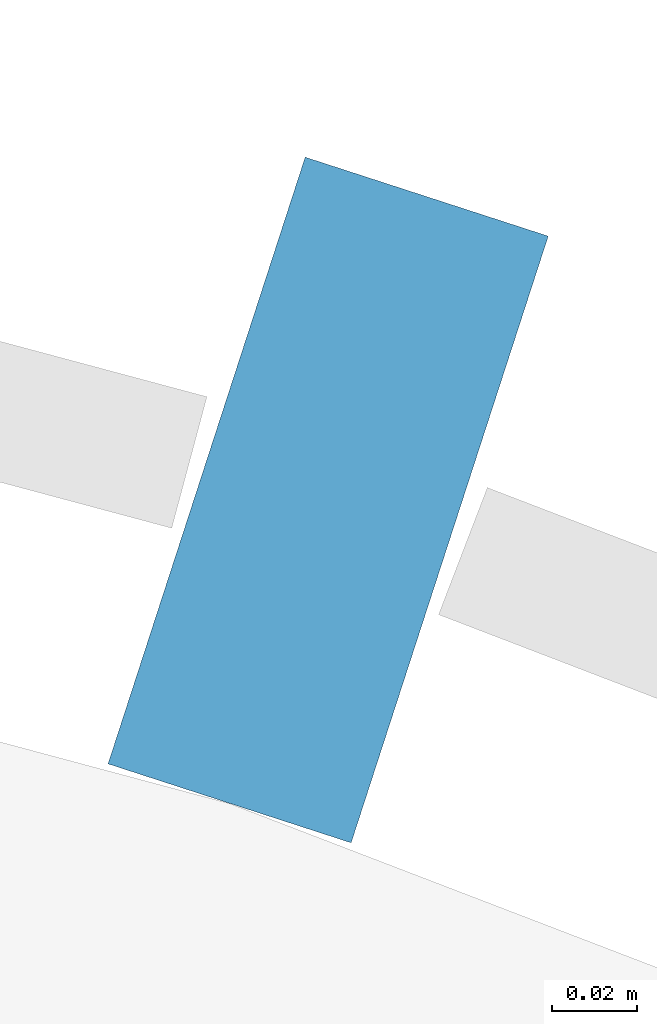
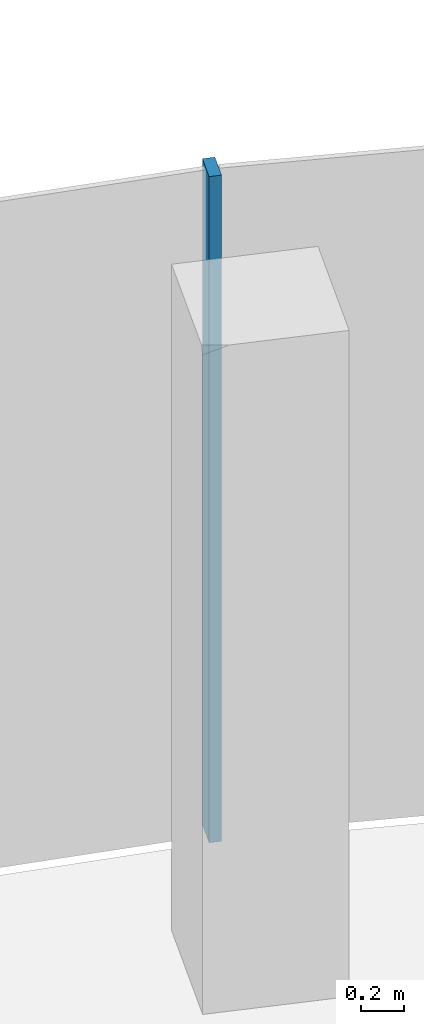
# One storey, part 10 of 18: 1 member, 1 element without a shape of its own.
"""IFC4 building model written with IfcOpenShell, lengths in metres."""

import ifcopenshell
import ifcopenshell.guid

model = None  # the IFC model being written
_history = None  # IfcOwnerHistory: only IFC2X3 demands one
_inside = {}  # id of a spatial element -> (the spatial element, [elements in it])
_under = {}  # id of a project, library or spatial element -> (it, [spatial elements below it])
_declared = {}  # id of a project -> (the project, [libraries it declares])
_typed = {}  # id of a type object -> (the type object, [elements of that type])
_made_of = {}  # id of a material, layer set ... -> (it, [elements and type objects made of it])


def new_model(schema):
    """Start an empty IFC model of exactly this schema.

    Asked for "IFC4X3", IfcOpenShell would pick the latest addendum, in which some entities
    have other attributes; the version numbers below select the first issue.
    IFC2X3 requires an IfcOwnerHistory on every rooted entity: one is made here for all.
    """
    global model, _history
    if schema == "IFC4X3":
        model = ifcopenshell.file(schema_version=(4, 3, 0, 0))
    else:
        model = ifcopenshell.file(schema=schema)
    _inside.clear()
    _under.clear()
    _declared.clear()
    _typed.clear()
    _made_of.clear()
    _history = None
    if model.schema == "IFC2X3":
        org = make("IfcOrganization", Name="unknown")
        user = make(
            "IfcPersonAndOrganization",
            ThePerson=make("IfcPerson", FamilyName="unknown"),
            TheOrganization=org,
        )
        app = make(
            "IfcApplication",
            ApplicationDeveloper=org,
            Version="unknown",
            ApplicationFullName="unknown",
            ApplicationIdentifier="unknown",
        )
        _history = make(
            "IfcOwnerHistory",
            OwningUser=user,
            OwningApplication=app,
            ChangeAction="ADDED",
            CreationDate=0,
        )
    return model


def make(cls, **values):
    """One entity of the class cls with the attributes given. An attribute that is None is left unset."""
    return model.create_entity(
        cls, **{name: value for name, value in values.items() if value is not None}
    )


def rooted(cls, **values):
    """An entity with a GlobalId (a new one), such as an element, a storey or a relation."""
    return make(cls, GlobalId=ifcopenshell.guid.new(), OwnerHistory=_history, **values)


def si_unit(unit_type, name, prefix=None):
    """IfcSIUnit, for example si_unit("LENGTHUNIT", "METRE", prefix="MILLI")."""
    return make("IfcSIUnit", UnitType=unit_type, Prefix=prefix, Name=name)


def assignment(units):
    """IfcUnitAssignment: the units of a project."""
    return None if units is None else make("IfcUnitAssignment", Units=units)


def point(xyz):
    """IfcCartesianPoint."""
    return None if xyz is None else make("IfcCartesianPoint", Coordinates=xyz)


def direction(xyz):
    """IfcDirection."""
    return None if xyz is None else make("IfcDirection", DirectionRatios=xyz)


def frame(location, z_axis=None, x_axis=None):
    """IfcAxis2Placement3D, a coordinate frame: its origin and axes. An axis left out is left unset."""
    return make(
        "IfcAxis2Placement3D",
        Location=point(location),
        Axis=direction(z_axis),
        RefDirection=direction(x_axis),
    )


def frame_2d(location, x_axis=None):
    """IfcAxis2Placement2D, a coordinate frame in the plane: its origin and x axis."""
    return make(
        "IfcAxis2Placement2D", Location=point(location), RefDirection=direction(x_axis)
    )


def origin():
    """The frame at (0, 0, 0) with its axes left unset."""
    return frame((0.0, 0.0, 0.0))


def origin_2d():
    """The frame at (0, 0) in the plane with its x axis left unset."""
    return frame_2d((0.0, 0.0))


def place(relative_to, where):
    """IfcLocalPlacement: puts the frame where relative to a parent placement (None: the world)."""
    return make(
        "IfcLocalPlacement", PlacementRelTo=relative_to, RelativePlacement=where
    )


def context(
    kind, dimensions, precision=None, world=None, true_north=None, identifier=None
):
    """IfcGeometricRepresentationContext, for example the 3D "Model" context."""
    return make(
        "IfcGeometricRepresentationContext",
        ContextIdentifier=identifier,
        ContextType=kind,
        CoordinateSpaceDimension=dimensions,
        Precision=precision,
        WorldCoordinateSystem=world,
        TrueNorth=true_north,
    )


def subcontext(parent, identifier, kind, view, scale=None):
    """IfcGeometricRepresentationSubContext, for example "Body" below "Model"."""
    return make(
        "IfcGeometricRepresentationSubContext",
        ContextIdentifier=identifier,
        ContextType=kind,
        ParentContext=parent,
        TargetScale=scale,
        TargetView=view,
    )


def project(units=None, contexts=None):
    """IfcProject with its units and contexts."""
    return rooted(
        "IfcProject",
        Name="project",
        RepresentationContexts=contexts,
        UnitsInContext=assignment(units),
    )


def spatial(cls, under=None, at=None, **own):
    """A site, building, storey or space (cls), placed at a placement, below another one or the project."""
    s = rooted(cls, ObjectPlacement=at, **own)
    if under is not None:
        _under.setdefault(under.id(), (under, []))[1].append(s)
    return s


def profile(cls, at=None, kind="AREA", **sizes):
    """A parametric profile (cls). Its sizes go by their IFC names, for example OverallWidth=200.0."""
    return make(cls, ProfileType=kind, Position=at, **sizes)


def rectangle(**sizes):
    """IfcRectangleProfileDef."""
    return profile("IfcRectangleProfileDef", **sizes)


def extrude(swept, where, along, depth):
    """IfcExtrudedAreaSolid: the profile swept, set in the frame where, extruded along a direction by depth."""
    return make(
        "IfcExtrudedAreaSolid",
        SweptArea=swept,
        Position=where,
        ExtrudedDirection=direction(along),
        Depth=depth,
    )


def shape(context_of_items, identifier, shape_type, items):
    """IfcShapeRepresentation: the items that make up one representation, for example the "Body"."""
    return make(
        "IfcShapeRepresentation",
        ContextOfItems=context_of_items,
        RepresentationIdentifier=identifier,
        RepresentationType=shape_type,
        Items=items,
    )


def material(Name=None, Category=None):
    """IfcMaterial."""
    return make("IfcMaterial", Name=Name, Category=Category)


def layer(
    of_material, thickness, ventilated=None, Name=None, Category=None, Priority=None
):
    """IfcMaterialLayer: one layer of a wall or slab, of a material (None: an air gap)."""
    return make(
        "IfcMaterialLayer",
        Material=of_material,
        LayerThickness=thickness,
        IsVentilated=ventilated,
        Name=Name,
        Category=Category,
        Priority=Priority,
    )


def layer_set(layers, Name=None):
    """IfcMaterialLayerSet."""
    return make("IfcMaterialLayerSet", MaterialLayers=layers, LayerSetName=Name)


def material_profile(
    of_material, cross_section, Name=None, Category=None, Priority=None
):
    """IfcMaterialProfile: a cross section and its material."""
    return make(
        "IfcMaterialProfile",
        Name=Name,
        Material=of_material,
        Profile=cross_section,
        Priority=Priority,
        Category=Category,
    )


def profile_set(profiles, Name=None, composite=None):
    """IfcMaterialProfileSet."""
    return make(
        "IfcMaterialProfileSet",
        Name=Name,
        MaterialProfiles=profiles,
        CompositeProfile=composite,
    )


def made_of(thing, what):
    """Note that an element or type object is made of a material, layer set ...; save() writes the relation."""
    if what is not None:
        _made_of.setdefault(what.id(), (what, []))[1].append(thing)
    return thing


def type_object(cls, material=None, **own):
    """A type object (cls), such as IfcWallType, which elements share."""
    return made_of(rooted(cls, **own), material)


def element(
    cls,
    number,
    at=None,
    inside=None,
    cuts=None,
    type_object=None,
    material=None,
    context=None,
    identifier="Body",
    shape_type=None,
    held_by="IfcProductDefinitionShape",
    body=None,
    shapes=None,
    **own,
):
    """One element of the class cls, such as IfcWall. Its Tag is "e" and its number.

    at: its placement. inside: the storey or other place that contains it. cuts: it is an
    opening in that element (IfcRelVoidsElement). A single representation is given by context,
    identifier, shape_type and body (its items); several are given by shapes. held_by: the class
    of the entity that holds the representations. save() writes the other relations.
    """
    e = rooted(cls, Tag="e%d" % number, ObjectPlacement=at, **own)
    if body is not None:
        shapes = [shape(context, identifier, shape_type, body)]
    if shapes is not None:
        e.Representation = make(held_by, Representations=shapes)
    if inside is not None:
        _inside.setdefault(inside.id(), (inside, []))[1].append(e)
    if cuts is not None:
        rooted(
            "IfcRelVoidsElement", RelatingBuildingElement=cuts, RelatedOpeningElement=e
        )
    if type_object is not None:
        _typed.setdefault(type_object.id(), (type_object, []))[1].append(e)
    return made_of(e, material)


def aggregate(whole, parts):
    """IfcRelAggregates: a whole, such as a stair, and the parts it consists of."""
    return rooted("IfcRelAggregates", RelatingObject=whole, RelatedObjects=parts)


def save(model, path):
    """Write the relations noted so far, then the file.

    IfcRelAggregates (storeys below a building ...), IfcRelContainedInSpatialStructure (elements
    in a storey), IfcRelDefinesByType, IfcRelAssociatesMaterial and IfcRelDeclares: one each for
    every whole, place, type object, material and project.
    """
    for whole, parts in _under.values():
        aggregate(whole, parts)
    for where, things in _inside.values():
        rooted(
            "IfcRelContainedInSpatialStructure",
            RelatedElements=things,
            RelatingStructure=where,
        )
    for kind, things in _typed.values():
        rooted("IfcRelDefinesByType", RelatedObjects=things, RelatingType=kind)
    for what, things in _made_of.values():
        rooted("IfcRelAssociatesMaterial", RelatedObjects=things, RelatingMaterial=what)
    for by, libraries in _declared.values():
        rooted("IfcRelDeclares", RelatingContext=by, RelatedDefinitions=libraries)
    model.write(path)


model = new_model("IFC4")

# Units and contexts
model_context = context("Model", 3, precision=1e-05, world=origin(), true_north=direction((0.0, 1.0)))
body_context = subcontext(model_context, "Body", "Model", "MODEL_VIEW")
ifc_project = project(units=[si_unit("LENGTHUNIT", "METRE"), si_unit("AREAUNIT", "SQUARE_METRE"), si_unit("VOLUMEUNIT", "CUBIC_METRE"), si_unit("PLANEANGLEUNIT", "RADIAN"), si_unit("MASSUNIT", "GRAM", prefix="KILO")], contexts=[model_context])

# Site, building, storey
site_placement = place(None, origin())
site = spatial("IfcSite", under=ifc_project, at=site_placement, CompositionType="ELEMENT")
building_placement = place(site_placement, origin())
building = spatial("IfcBuilding", under=site, at=building_placement, Name="Stone Belt Terrace Tower", CompositionType="ELEMENT")
storey_placement = place(building_placement, frame((0.0, 0.0, 288.39990234375)))
storey = spatial("IfcBuildingStorey", under=building, at=storey_placement, Name="L70", CompositionType="ELEMENT", Elevation=288.39990234375)

# Curtain wall, member
ifc_material = material(Name="Aluminium 6063-T6 anodised frame", Category="aluminium")
ifc_layer = layer(ifc_material, 0.14990234375)
ifc_layer_set = layer_set([ifc_layer], Name="CW-A unitised convex-face curtain wall")
curtain_wall_type = type_object("IfcCurtainWallType", Name="CW-A unitised convex-face curtain wall", PredefinedType="NOTDEFINED", material=ifc_layer_set)
curtain_wall_placement = place(storey_placement, origin())
curtain_wall = element("IfcCurtainWall", 1, at=curtain_wall_placement, inside=storey, type_object=curtain_wall_type, Name="CW-A convex face L70", PredefinedType="NOTDEFINED")
ifc_material_profile = material_profile(ifc_material, rectangle(XDim=0.14990234375, YDim=0.06005859375, at=origin_2d()), Name="Aluminium 6063-T6 60x150")
ifc_profile_set = profile_set([ifc_material_profile], Name="Aluminium 6063-T6 anodised frame")
member_type = type_object("IfcMemberType", Name="CW-A mullion 60 x 150", PredefinedType="MULLION", material=ifc_profile_set)
member_placement = place(storey_placement, frame((20.57275390625, 63.316650390625, 0.0), z_axis=(0.0, 0.0, 1.0), x_axis=(-0.309016994375, -0.951056516295, 0.0)))
member = element("IfcMember", 2, at=member_placement, type_object=member_type, Name="CW-A mullion 5", PredefinedType="MULLION", context=body_context, shape_type="SweptSolid", body=[
    extrude(rectangle(XDim=0.14990234375, YDim=0.06005859375, at=origin_2d()), origin(), (0.0, 0.0, 1.0), 3.800048828125),
])
aggregate(curtain_wall, [member])

save(model, "model.ifc")
